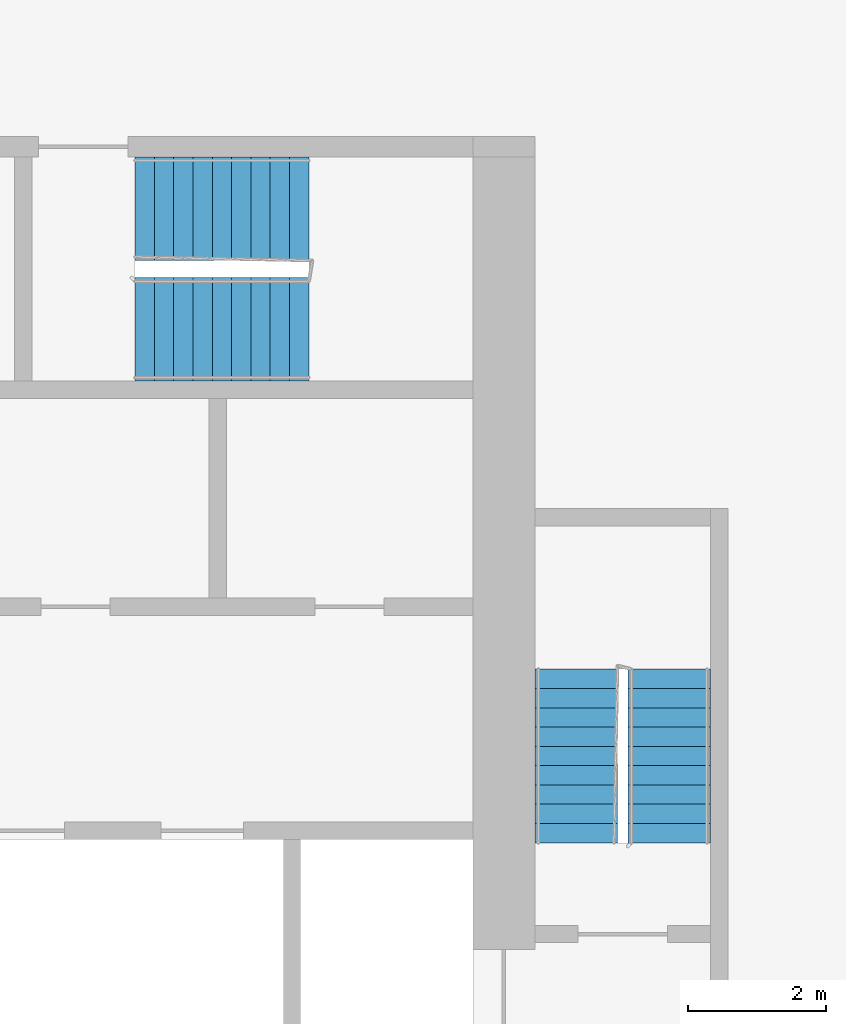
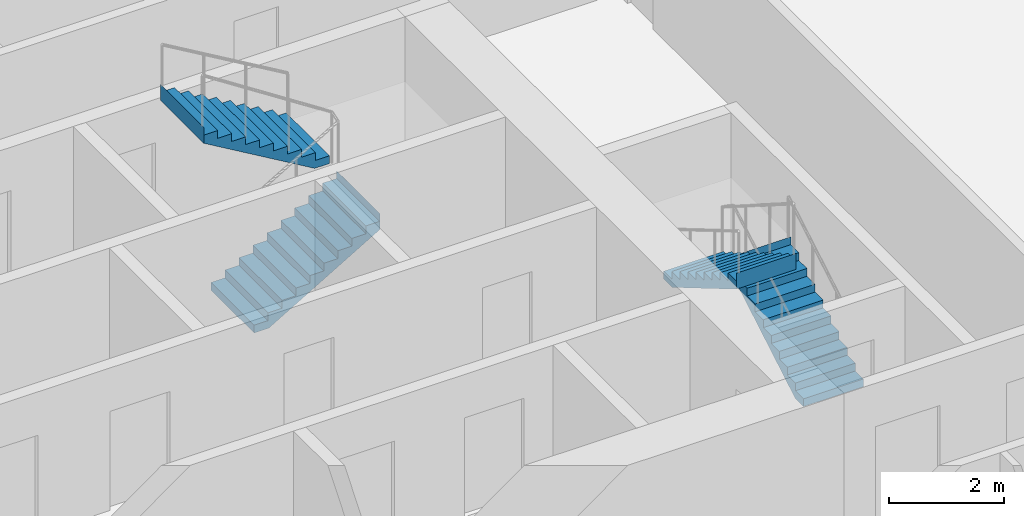
# One storey, part 10 of 12: 4 stair flights, 2 elements without a shape of their own.
"""IFC4 building model written with IfcOpenShell, lengths in metres."""

import ifcopenshell
import ifcopenshell.guid

model = None  # the IFC model being written
_history = None  # IfcOwnerHistory: only IFC2X3 demands one
_inside = {}  # id of a spatial element -> (the spatial element, [elements in it])
_under = {}  # id of a project, library or spatial element -> (it, [spatial elements below it])
_declared = {}  # id of a project -> (the project, [libraries it declares])
_typed = {}  # id of a type object -> (the type object, [elements of that type])
_made_of = {}  # id of a material, layer set ... -> (it, [elements and type objects made of it])


def new_model(schema):
    """Start an empty IFC model of exactly this schema.

    Asked for "IFC4X3", IfcOpenShell would pick the latest addendum, in which some entities
    have other attributes; the version numbers below select the first issue.
    IFC2X3 requires an IfcOwnerHistory on every rooted entity: one is made here for all.
    """
    global model, _history
    if schema == "IFC4X3":
        model = ifcopenshell.file(schema_version=(4, 3, 0, 0))
    else:
        model = ifcopenshell.file(schema=schema)
    _inside.clear()
    _under.clear()
    _declared.clear()
    _typed.clear()
    _made_of.clear()
    _history = None
    if model.schema == "IFC2X3":
        org = make("IfcOrganization", Name="unknown")
        user = make(
            "IfcPersonAndOrganization",
            ThePerson=make("IfcPerson", FamilyName="unknown"),
            TheOrganization=org,
        )
        app = make(
            "IfcApplication",
            ApplicationDeveloper=org,
            Version="unknown",
            ApplicationFullName="unknown",
            ApplicationIdentifier="unknown",
        )
        _history = make(
            "IfcOwnerHistory",
            OwningUser=user,
            OwningApplication=app,
            ChangeAction="ADDED",
            CreationDate=0,
        )
    return model


def make(cls, **values):
    """One entity of the class cls with the attributes given. An attribute that is None is left unset."""
    return model.create_entity(
        cls, **{name: value for name, value in values.items() if value is not None}
    )


def rooted(cls, **values):
    """An entity with a GlobalId (a new one), such as an element, a storey or a relation."""
    return make(cls, GlobalId=ifcopenshell.guid.new(), OwnerHistory=_history, **values)


def si_unit(unit_type, name, prefix=None):
    """IfcSIUnit, for example si_unit("LENGTHUNIT", "METRE", prefix="MILLI")."""
    return make("IfcSIUnit", UnitType=unit_type, Prefix=prefix, Name=name)


def assignment(units):
    """IfcUnitAssignment: the units of a project."""
    return None if units is None else make("IfcUnitAssignment", Units=units)


def point(xyz):
    """IfcCartesianPoint."""
    return None if xyz is None else make("IfcCartesianPoint", Coordinates=xyz)


def direction(xyz):
    """IfcDirection."""
    return None if xyz is None else make("IfcDirection", DirectionRatios=xyz)


def frame(location, z_axis=None, x_axis=None):
    """IfcAxis2Placement3D, a coordinate frame: its origin and axes. An axis left out is left unset."""
    return make(
        "IfcAxis2Placement3D",
        Location=point(location),
        Axis=direction(z_axis),
        RefDirection=direction(x_axis),
    )


def origin():
    """The frame at (0, 0, 0) with its axes left unset."""
    return frame((0.0, 0.0, 0.0))


def place(relative_to, where):
    """IfcLocalPlacement: puts the frame where relative to a parent placement (None: the world)."""
    return make(
        "IfcLocalPlacement", PlacementRelTo=relative_to, RelativePlacement=where
    )


def context(
    kind, dimensions, precision=None, world=None, true_north=None, identifier=None
):
    """IfcGeometricRepresentationContext, for example the 3D "Model" context."""
    return make(
        "IfcGeometricRepresentationContext",
        ContextIdentifier=identifier,
        ContextType=kind,
        CoordinateSpaceDimension=dimensions,
        Precision=precision,
        WorldCoordinateSystem=world,
        TrueNorth=true_north,
    )


def subcontext(parent, identifier, kind, view, scale=None):
    """IfcGeometricRepresentationSubContext, for example "Body" below "Model"."""
    return make(
        "IfcGeometricRepresentationSubContext",
        ContextIdentifier=identifier,
        ContextType=kind,
        ParentContext=parent,
        TargetScale=scale,
        TargetView=view,
    )


def project(units=None, contexts=None):
    """IfcProject with its units and contexts."""
    return rooted(
        "IfcProject",
        Name="project",
        RepresentationContexts=contexts,
        UnitsInContext=assignment(units),
    )


def spatial(cls, under=None, at=None, **own):
    """A site, building, storey or space (cls), placed at a placement, below another one or the project."""
    s = rooted(cls, ObjectPlacement=at, **own)
    if under is not None:
        _under.setdefault(under.id(), (under, []))[1].append(s)
    return s


def faces_of(points, faces, orient=None, outer=None):
    """IfcFace entities. A face is a list of loops; a loop is a list of indices into points, from 0.

    orient and outer hold one flag for each loop. By default every Orientation is true, the
    first loop of a face is its IfcFaceOuterBound and the others are IfcFaceBound.
    """
    made = []
    for i, loops in enumerate(faces):
        bounds = []
        for j, loop in enumerate(loops):
            is_outer = j == 0 if outer is None else outer[i][j]
            bounds.append(
                make(
                    "IfcFaceOuterBound" if is_outer else "IfcFaceBound",
                    Bound=make("IfcPolyLoop", Polygon=[points[k] for k in loop]),
                    Orientation=True if orient is None else orient[i][j],
                )
            )
        made.append(make("IfcFace", Bounds=bounds))
    return made


def faceted_brep(points, faces, orient=None, outer=None, voids=None):
    """IfcFacetedBrep: a solid bounded by flat faces; with voids (closed shells), ...WithVoids."""
    shared = [point(p) for p in points]
    hull = make("IfcClosedShell", CfsFaces=faces_of(shared, faces, orient, outer))
    if voids is None:
        return make("IfcFacetedBrep", Outer=hull)
    return make(
        "IfcFacetedBrepWithVoids",
        Outer=hull,
        Voids=[
            make(cls, CfsFaces=faces_of(shared, fs, o, b)) for cls, fs, o, b in voids
        ],
    )


def shape(context_of_items, identifier, shape_type, items):
    """IfcShapeRepresentation: the items that make up one representation, for example the "Body"."""
    return make(
        "IfcShapeRepresentation",
        ContextOfItems=context_of_items,
        RepresentationIdentifier=identifier,
        RepresentationType=shape_type,
        Items=items,
    )


def material(Name=None, Category=None):
    """IfcMaterial."""
    return make("IfcMaterial", Name=Name, Category=Category)


def made_of(thing, what):
    """Note that an element or type object is made of a material, layer set ...; save() writes the relation."""
    if what is not None:
        _made_of.setdefault(what.id(), (what, []))[1].append(thing)
    return thing


def type_object(cls, material=None, **own):
    """A type object (cls), such as IfcWallType, which elements share."""
    return made_of(rooted(cls, **own), material)


def element(
    cls,
    number,
    at=None,
    inside=None,
    cuts=None,
    type_object=None,
    material=None,
    context=None,
    identifier="Body",
    shape_type=None,
    held_by="IfcProductDefinitionShape",
    body=None,
    shapes=None,
    **own,
):
    """One element of the class cls, such as IfcWall. Its Tag is "e" and its number.

    at: its placement. inside: the storey or other place that contains it. cuts: it is an
    opening in that element (IfcRelVoidsElement). A single representation is given by context,
    identifier, shape_type and body (its items); several are given by shapes. held_by: the class
    of the entity that holds the representations. save() writes the other relations.
    """
    e = rooted(cls, Tag="e%d" % number, ObjectPlacement=at, **own)
    if body is not None:
        shapes = [shape(context, identifier, shape_type, body)]
    if shapes is not None:
        e.Representation = make(held_by, Representations=shapes)
    if inside is not None:
        _inside.setdefault(inside.id(), (inside, []))[1].append(e)
    if cuts is not None:
        rooted(
            "IfcRelVoidsElement", RelatingBuildingElement=cuts, RelatedOpeningElement=e
        )
    if type_object is not None:
        _typed.setdefault(type_object.id(), (type_object, []))[1].append(e)
    return made_of(e, material)


def aggregate(whole, parts):
    """IfcRelAggregates: a whole, such as a stair, and the parts it consists of."""
    return rooted("IfcRelAggregates", RelatingObject=whole, RelatedObjects=parts)


def save(model, path):
    """Write the relations noted so far, then the file.

    IfcRelAggregates (storeys below a building ...), IfcRelContainedInSpatialStructure (elements
    in a storey), IfcRelDefinesByType, IfcRelAssociatesMaterial and IfcRelDeclares: one each for
    every whole, place, type object, material and project.
    """
    for whole, parts in _under.values():
        aggregate(whole, parts)
    for where, things in _inside.values():
        rooted(
            "IfcRelContainedInSpatialStructure",
            RelatedElements=things,
            RelatingStructure=where,
        )
    for kind, things in _typed.values():
        rooted("IfcRelDefinesByType", RelatedObjects=things, RelatingType=kind)
    for what, things in _made_of.values():
        rooted("IfcRelAssociatesMaterial", RelatedObjects=things, RelatingMaterial=what)
    for by, libraries in _declared.values():
        rooted("IfcRelDeclares", RelatingContext=by, RelatedDefinitions=libraries)
    model.write(path)


model = new_model("IFC4")

# Units and contexts
model_context = context("Model", 3, precision=1e-05, world=origin(), true_north=direction((0.0, 1.0)))
body_context = subcontext(model_context, "Body", "Model", "MODEL_VIEW")
ifc_project = project(units=[si_unit("LENGTHUNIT", "METRE"), si_unit("AREAUNIT", "SQUARE_METRE"), si_unit("VOLUMEUNIT", "CUBIC_METRE"), si_unit("PLANEANGLEUNIT", "RADIAN"), si_unit("MASSUNIT", "GRAM", prefix="KILO")], contexts=[model_context])

# Site, building, storey
site_placement = place(None, origin())
site = spatial("IfcSite", under=ifc_project, at=site_placement, CompositionType="ELEMENT")
building_placement = place(site_placement, origin())
building = spatial("IfcBuilding", under=site, at=building_placement, Name="Kajstack Hotel Tower", CompositionType="ELEMENT")
storey_placement = place(building_placement, frame((0.0, 0.0, 247.39990234375)))
storey = spatial("IfcBuildingStorey", under=building, at=storey_placement, Name="L61", CompositionType="ELEMENT", Elevation=247.39990234375)

# Stair, stair flights
ifc_material = material(Name="Concrete C40/50", Category="concrete")
stair_type_1 = type_object("IfcStairType", Name="Exit stair 1200", PredefinedType="HALF_TURN_STAIR", material=ifc_material)
stair_1_placement = place(storey_placement, origin())
stair_1 = element("IfcStair", 1, at=stair_1_placement, inside=storey, type_object=stair_type_1, Name="L61 stair E1", PredefinedType="HALF_TURN_STAIR")
stair_flight_type_1 = type_object("IfcStairFlightType", Name="Exit stair flight 1200", PredefinedType="STRAIGHT", material=ifc_material)
stair_flight_1_placement = place(storey_placement, frame((33.449951171875, 5.25, 0.0), z_axis=(0.0, 0.0, 1.0), x_axis=(0.0, 1.0, 0.0)))
stair_flight_1 = element("IfcStairFlight", 2, at=stair_flight_1_placement, type_object=stair_flight_type_1, Name="E1 flight 1", NumberOfRisers=10, NumberOfTreads=9, PredefinedType="STRAIGHT", RiserHeight=0.165, TreadLength=0.28, context=body_context, shape_type="Brep", body=[
    faceted_brep([(0.295654296875, -0.60009765625, 0.0), (2.5205078125, -0.60009765625, 1.31103515625), (2.5205078125, -0.60009765625, 1.64990234375), (2.52001953125, -0.60009765625, 1.64990234375), (2.52001953125, -0.60009765625, 1.485107421875), (2.239990234375, -0.60009765625, 1.485107421875), (2.239990234375, -0.60009765625, 1.320068359375), (1.9599609375, -0.60009765625, 1.320068359375), (1.9599609375, -0.60009765625, 1.155029296875), (1.679931640625, -0.60009765625, 1.155029296875), (1.679931640625, -0.60009765625, 0.989990234375), (1.39990234375, -0.60009765625, 0.989990234375), (1.39990234375, -0.60009765625, 0.824951171875), (1.1201171875, -0.60009765625, 0.824951171875), (1.1201171875, -0.60009765625, 0.659912109375), (0.840087890625, -0.60009765625, 0.659912109375), (0.840087890625, -0.60009765625, 0.4951171875), (0.56005859375, -0.60009765625, 0.4951171875), (0.56005859375, -0.60009765625, 0.330078125), (0.280029296875, -0.60009765625, 0.330078125), (0.280029296875, -0.60009765625, 0.1650390625), (-0.00048828125, -0.60009765625, 0.1650390625), (-0.00048828125, -0.60009765625, 0.0), (-0.00048828125, 0.60009765625, 0.0), (-0.00048828125, 0.60009765625, 0.1650390625), (0.280029296875, 0.60009765625, 0.1650390625), (0.280029296875, 0.60009765625, 0.330078125), (0.56005859375, 0.60009765625, 0.330078125), (0.56005859375, 0.60009765625, 0.4951171875), (0.840087890625, 0.60009765625, 0.4951171875), (0.840087890625, 0.60009765625, 0.659912109375), (1.1201171875, 0.60009765625, 0.659912109375), (1.1201171875, 0.60009765625, 0.824951171875), (1.39990234375, 0.60009765625, 0.824951171875), (1.39990234375, 0.60009765625, 0.989990234375), (1.679931640625, 0.60009765625, 0.989990234375), (1.679931640625, 0.60009765625, 1.155029296875), (1.9599609375, 0.60009765625, 1.155029296875), (1.9599609375, 0.60009765625, 1.320068359375), (2.239990234375, 0.60009765625, 1.320068359375), (2.239990234375, 0.60009765625, 1.485107421875), (2.52001953125, 0.60009765625, 1.485107421875), (2.52001953125, 0.60009765625, 1.64990234375), (2.5205078125, 0.60009765625, 1.64990234375), (2.5205078125, 0.60009765625, 1.31103515625), (0.295654296875, 0.60009765625, 0.0), (-0.00048828125, -0.300048828125, 0.1650390625), (-0.00048828125, 0.0, 0.1650390625), (-0.00048828125, 0.300048828125, 0.1650390625), (-0.00048828125, 0.300048828125, 0.0), (-0.00048828125, 0.0, 0.0), (-0.00048828125, -0.300048828125, 0.0), (0.280029296875, -0.300048828125, 0.1650390625), (0.280029296875, 0.0, 0.1650390625), (0.280029296875, 0.300048828125, 0.1650390625), (0.280029296875, -0.300048828125, 0.330078125), (0.280029296875, 0.0, 0.330078125), (0.280029296875, 0.300048828125, 0.330078125), (0.56005859375, -0.300048828125, 0.330078125), (0.56005859375, 0.0, 0.330078125), (0.56005859375, 0.300048828125, 0.330078125), (0.56005859375, -0.300048828125, 0.4951171875), (0.56005859375, 0.0, 0.4951171875), (0.56005859375, 0.300048828125, 0.4951171875), (0.840087890625, -0.300048828125, 0.4951171875), (0.840087890625, 0.0, 0.4951171875), (0.840087890625, 0.300048828125, 0.4951171875), (0.840087890625, -0.300048828125, 0.659912109375), (0.840087890625, 0.0, 0.659912109375), (0.840087890625, 0.300048828125, 0.659912109375), (1.1201171875, -0.300048828125, 0.659912109375), (1.1201171875, 0.0, 0.659912109375), (1.1201171875, 0.300048828125, 0.659912109375), (1.1201171875, -0.300048828125, 0.824951171875), (1.1201171875, 0.0, 0.824951171875), (1.1201171875, 0.300048828125, 0.824951171875), (1.39990234375, -0.300048828125, 0.824951171875), (1.39990234375, 0.0, 0.824951171875), (1.39990234375, 0.300048828125, 0.824951171875), (1.39990234375, -0.300048828125, 0.989990234375), (1.39990234375, 0.0, 0.989990234375), (1.39990234375, 0.300048828125, 0.989990234375), (1.679931640625, -0.300048828125, 0.989990234375), (1.679931640625, 0.0, 0.989990234375), (1.679931640625, 0.300048828125, 0.989990234375), (1.679931640625, -0.300048828125, 1.155029296875), (1.679931640625, 0.0, 1.155029296875), (1.679931640625, 0.300048828125, 1.155029296875), (1.9599609375, -0.300048828125, 1.155029296875), (1.9599609375, 0.0, 1.155029296875), (1.9599609375, 0.300048828125, 1.155029296875), (1.9599609375, -0.300048828125, 1.320068359375), (1.9599609375, 0.0, 1.320068359375), (1.9599609375, 0.300048828125, 1.320068359375), (2.239990234375, -0.300048828125, 1.320068359375), (2.239990234375, 0.0, 1.320068359375), (2.239990234375, 0.300048828125, 1.320068359375), (2.239990234375, -0.300048828125, 1.485107421875), (2.239990234375, 0.0, 1.485107421875), (2.239990234375, 0.300048828125, 1.485107421875), (2.52001953125, -0.300048828125, 1.485107421875), (2.52001953125, 0.0, 1.485107421875), (2.52001953125, 0.300048828125, 1.485107421875), (2.52001953125, -0.300048828125, 1.64990234375), (2.52001953125, 0.0, 1.64990234375), (2.52001953125, 0.300048828125, 1.64990234375), (2.5205078125, -0.300048828125, 1.64990234375), (2.5205078125, 0.0, 1.64990234375), (2.5205078125, 0.300048828125, 1.64990234375), (2.5205078125, -0.300048828125, 1.31103515625), (2.5205078125, 0.0, 1.31103515625), (2.5205078125, 0.300048828125, 1.31103515625), (0.295654296875, -0.300048828125, 0.0), (0.295654296875, 0.0, 0.0), (0.295654296875, 0.300048828125, 0.0)], [[[0, 1, 2, 3, 4, 5, 6, 7, 8, 9, 10, 11, 12, 13, 14, 15, 16, 17, 18, 19, 20, 21, 22]], [[23, 24, 25, 26, 27, 28, 29, 30, 31, 32, 33, 34, 35, 36, 37, 38, 39, 40, 41, 42, 43, 44, 45]], [[21, 46, 47, 48, 24, 23, 49, 50, 51, 22]], [[20, 52, 53, 54, 25, 24, 48, 47, 46, 21]], [[19, 55, 56, 57, 26, 25, 54, 53, 52, 20]], [[18, 58, 59, 60, 27, 26, 57, 56, 55, 19]], [[17, 61, 62, 63, 28, 27, 60, 59, 58, 18]], [[16, 64, 65, 66, 29, 28, 63, 62, 61, 17]], [[15, 67, 68, 69, 30, 29, 66, 65, 64, 16]], [[14, 70, 71, 72, 31, 30, 69, 68, 67, 15]], [[13, 73, 74, 75, 32, 31, 72, 71, 70, 14]], [[12, 76, 77, 78, 33, 32, 75, 74, 73, 13]], [[11, 79, 80, 81, 34, 33, 78, 77, 76, 12]], [[10, 82, 83, 84, 35, 34, 81, 80, 79, 11]], [[9, 85, 86, 87, 36, 35, 84, 83, 82, 10]], [[8, 88, 89, 90, 37, 36, 87, 86, 85, 9]], [[7, 91, 92, 93, 38, 37, 90, 89, 88, 8]], [[6, 94, 95, 96, 39, 38, 93, 92, 91, 7]], [[5, 97, 98, 99, 40, 39, 96, 95, 94, 6]], [[4, 100, 101, 102, 41, 40, 99, 98, 97, 5]], [[3, 103, 104, 105, 42, 41, 102, 101, 100, 4]], [[2, 106, 107, 108, 43, 42, 105, 104, 103, 3]], [[1, 109, 110, 111, 44, 43, 108, 107, 106, 2]], [[0, 112, 113, 114, 45, 44, 111, 110, 109, 1]], [[22, 51, 50, 49, 23, 45, 114, 113, 112, 0]]]),
])
stair_flight_2_placement = place(storey_placement, frame((32.10009765625, 7.77001953125, 1.650146484375), z_axis=(0.0, 0.0, 1.0), x_axis=(0.0, -1.0, 0.0)))
stair_flight_2 = element("IfcStairFlight", 3, at=stair_flight_2_placement, type_object=stair_flight_type_1, Name="E1 flight 2", NumberOfRisers=10, NumberOfTreads=9, PredefinedType="STRAIGHT", RiserHeight=0.165, TreadLength=0.28, context=body_context, shape_type="Brep", body=[
    faceted_brep([(0.295654296875, -0.60009765625, 0.0), (2.5205078125, -0.60009765625, 1.31103515625), (2.5205078125, -0.60009765625, 1.64990234375), (2.52001953125, -0.60009765625, 1.64990234375), (2.52001953125, -0.60009765625, 1.485107421875), (2.239990234375, -0.60009765625, 1.485107421875), (2.239990234375, -0.60009765625, 1.320068359375), (1.9599609375, -0.60009765625, 1.320068359375), (1.9599609375, -0.60009765625, 1.155029296875), (1.679931640625, -0.60009765625, 1.155029296875), (1.679931640625, -0.60009765625, 0.989990234375), (1.39990234375, -0.60009765625, 0.989990234375), (1.39990234375, -0.60009765625, 0.824951171875), (1.1201171875, -0.60009765625, 0.824951171875), (1.1201171875, -0.60009765625, 0.659912109375), (0.840087890625, -0.60009765625, 0.659912109375), (0.840087890625, -0.60009765625, 0.4951171875), (0.56005859375, -0.60009765625, 0.4951171875), (0.56005859375, -0.60009765625, 0.330078125), (0.280029296875, -0.60009765625, 0.330078125), (0.280029296875, -0.60009765625, 0.1650390625), (-0.00048828125, -0.60009765625, 0.1650390625), (-0.00048828125, -0.60009765625, 0.0), (-0.00048828125, 0.60009765625, 0.0), (-0.00048828125, 0.60009765625, 0.1650390625), (0.280029296875, 0.60009765625, 0.1650390625), (0.280029296875, 0.60009765625, 0.330078125), (0.56005859375, 0.60009765625, 0.330078125), (0.56005859375, 0.60009765625, 0.4951171875), (0.840087890625, 0.60009765625, 0.4951171875), (0.840087890625, 0.60009765625, 0.659912109375), (1.1201171875, 0.60009765625, 0.659912109375), (1.1201171875, 0.60009765625, 0.824951171875), (1.39990234375, 0.60009765625, 0.824951171875), (1.39990234375, 0.60009765625, 0.989990234375), (1.679931640625, 0.60009765625, 0.989990234375), (1.679931640625, 0.60009765625, 1.155029296875), (1.9599609375, 0.60009765625, 1.155029296875), (1.9599609375, 0.60009765625, 1.320068359375), (2.239990234375, 0.60009765625, 1.320068359375), (2.239990234375, 0.60009765625, 1.485107421875), (2.52001953125, 0.60009765625, 1.485107421875), (2.52001953125, 0.60009765625, 1.64990234375), (2.5205078125, 0.60009765625, 1.64990234375), (2.5205078125, 0.60009765625, 1.31103515625), (0.295654296875, 0.60009765625, 0.0), (-0.00048828125, -0.300048828125, 0.1650390625), (-0.00048828125, 0.0, 0.1650390625), (-0.00048828125, 0.300048828125, 0.1650390625), (-0.00048828125, 0.300048828125, 0.0), (-0.00048828125, 0.0, 0.0), (-0.00048828125, -0.300048828125, 0.0), (0.280029296875, -0.300048828125, 0.1650390625), (0.280029296875, 0.0, 0.1650390625), (0.280029296875, 0.300048828125, 0.1650390625), (0.280029296875, -0.300048828125, 0.330078125), (0.280029296875, 0.0, 0.330078125), (0.280029296875, 0.300048828125, 0.330078125), (0.56005859375, -0.300048828125, 0.330078125), (0.56005859375, 0.0, 0.330078125), (0.56005859375, 0.300048828125, 0.330078125), (0.56005859375, -0.300048828125, 0.4951171875), (0.56005859375, 0.0, 0.4951171875), (0.56005859375, 0.300048828125, 0.4951171875), (0.840087890625, -0.300048828125, 0.4951171875), (0.840087890625, 0.0, 0.4951171875), (0.840087890625, 0.300048828125, 0.4951171875), (0.840087890625, -0.300048828125, 0.659912109375), (0.840087890625, 0.0, 0.659912109375), (0.840087890625, 0.300048828125, 0.659912109375), (1.1201171875, -0.300048828125, 0.659912109375), (1.1201171875, 0.0, 0.659912109375), (1.1201171875, 0.300048828125, 0.659912109375), (1.1201171875, -0.300048828125, 0.824951171875), (1.1201171875, 0.0, 0.824951171875), (1.1201171875, 0.300048828125, 0.824951171875), (1.39990234375, -0.300048828125, 0.824951171875), (1.39990234375, 0.0, 0.824951171875), (1.39990234375, 0.300048828125, 0.824951171875), (1.39990234375, -0.300048828125, 0.989990234375), (1.39990234375, 0.0, 0.989990234375), (1.39990234375, 0.300048828125, 0.989990234375), (1.679931640625, -0.300048828125, 0.989990234375), (1.679931640625, 0.0, 0.989990234375), (1.679931640625, 0.300048828125, 0.989990234375), (1.679931640625, -0.300048828125, 1.155029296875), (1.679931640625, 0.0, 1.155029296875), (1.679931640625, 0.300048828125, 1.155029296875), (1.9599609375, -0.300048828125, 1.155029296875), (1.9599609375, 0.0, 1.155029296875), (1.9599609375, 0.300048828125, 1.155029296875), (1.9599609375, -0.300048828125, 1.320068359375), (1.9599609375, 0.0, 1.320068359375), (1.9599609375, 0.300048828125, 1.320068359375), (2.239990234375, -0.300048828125, 1.320068359375), (2.239990234375, 0.0, 1.320068359375), (2.239990234375, 0.300048828125, 1.320068359375), (2.239990234375, -0.300048828125, 1.485107421875), (2.239990234375, 0.0, 1.485107421875), (2.239990234375, 0.300048828125, 1.485107421875), (2.52001953125, -0.300048828125, 1.485107421875), (2.52001953125, 0.0, 1.485107421875), (2.52001953125, 0.300048828125, 1.485107421875), (2.52001953125, -0.300048828125, 1.64990234375), (2.52001953125, 0.0, 1.64990234375), (2.52001953125, 0.300048828125, 1.64990234375), (2.5205078125, -0.300048828125, 1.64990234375), (2.5205078125, 0.0, 1.64990234375), (2.5205078125, 0.300048828125, 1.64990234375), (2.5205078125, -0.300048828125, 1.31103515625), (2.5205078125, 0.0, 1.31103515625), (2.5205078125, 0.300048828125, 1.31103515625), (0.295654296875, -0.300048828125, 0.0), (0.295654296875, 0.0, 0.0), (0.295654296875, 0.300048828125, 0.0)], [[[0, 1, 2, 3, 4, 5, 6, 7, 8, 9, 10, 11, 12, 13, 14, 15, 16, 17, 18, 19, 20, 21, 22]], [[23, 24, 25, 26, 27, 28, 29, 30, 31, 32, 33, 34, 35, 36, 37, 38, 39, 40, 41, 42, 43, 44, 45]], [[21, 46, 47, 48, 24, 23, 49, 50, 51, 22]], [[20, 52, 53, 54, 25, 24, 48, 47, 46, 21]], [[19, 55, 56, 57, 26, 25, 54, 53, 52, 20]], [[18, 58, 59, 60, 27, 26, 57, 56, 55, 19]], [[17, 61, 62, 63, 28, 27, 60, 59, 58, 18]], [[16, 64, 65, 66, 29, 28, 63, 62, 61, 17]], [[15, 67, 68, 69, 30, 29, 66, 65, 64, 16]], [[14, 70, 71, 72, 31, 30, 69, 68, 67, 15]], [[13, 73, 74, 75, 32, 31, 72, 71, 70, 14]], [[12, 76, 77, 78, 33, 32, 75, 74, 73, 13]], [[11, 79, 80, 81, 34, 33, 78, 77, 76, 12]], [[10, 82, 83, 84, 35, 34, 81, 80, 79, 11]], [[9, 85, 86, 87, 36, 35, 84, 83, 82, 10]], [[8, 88, 89, 90, 37, 36, 87, 86, 85, 9]], [[7, 91, 92, 93, 38, 37, 90, 89, 88, 8]], [[6, 94, 95, 96, 39, 38, 93, 92, 91, 7]], [[5, 97, 98, 99, 40, 39, 96, 95, 94, 6]], [[4, 100, 101, 102, 41, 40, 99, 98, 97, 5]], [[3, 103, 104, 105, 42, 41, 102, 101, 100, 4]], [[2, 106, 107, 108, 43, 42, 105, 104, 103, 3]], [[1, 109, 110, 111, 44, 43, 108, 107, 106, 2]], [[0, 112, 113, 114, 45, 44, 111, 110, 109, 1]], [[22, 51, 50, 49, 23, 45, 114, 113, 112, 0]]]),
])
aggregate(stair_1, [stair_flight_1, stair_flight_2])

stair_type_2 = type_object("IfcStairType", Name="Exit stair 1500", PredefinedType="HALF_TURN_STAIR", material=ifc_material)
stair_2_placement = place(storey_placement, origin())
stair_2 = element("IfcStair", 4, at=stair_2_placement, inside=storey, type_object=stair_type_2, Name="L61 stair E3", PredefinedType="HALF_TURN_STAIR")
stair_flight_type_2 = type_object("IfcStairFlightType", Name="Exit stair flight 1500", PredefinedType="STRAIGHT", material=ifc_material)
stair_flight_3_placement = place(storey_placement, frame((25.699951171875, 12.699951171875, 0.0), z_axis=(0.0, 0.0, 1.0), x_axis=(1.0, 0.0, 0.0)))
stair_flight_3 = element("IfcStairFlight", 5, at=stair_flight_3_placement, type_object=stair_flight_type_2, Name="E3 flight 1", NumberOfRisers=10, NumberOfTreads=9, PredefinedType="STRAIGHT", RiserHeight=0.165, TreadLength=0.28, context=body_context, shape_type="Brep", body=[
    faceted_brep([(0.295654296875, -0.75, 0.0), (2.5205078125, -0.75, 1.31103515625), (2.5205078125, -0.75, 1.64990234375), (2.52001953125, -0.75, 1.64990234375), (2.52001953125, -0.75, 1.485107421875), (2.239990234375, -0.75, 1.485107421875), (2.239990234375, -0.75, 1.320068359375), (1.9599609375, -0.75, 1.320068359375), (1.9599609375, -0.75, 1.155029296875), (1.679931640625, -0.75, 1.155029296875), (1.679931640625, -0.75, 0.989990234375), (1.39990234375, -0.75, 0.989990234375), (1.39990234375, -0.75, 0.824951171875), (1.1201171875, -0.75, 0.824951171875), (1.1201171875, -0.75, 0.659912109375), (0.840087890625, -0.75, 0.659912109375), (0.840087890625, -0.75, 0.4951171875), (0.56005859375, -0.75, 0.4951171875), (0.56005859375, -0.75, 0.330078125), (0.280029296875, -0.75, 0.330078125), (0.280029296875, -0.75, 0.1650390625), (-0.00048828125, -0.75, 0.1650390625), (-0.00048828125, -0.75, 0.0), (-0.00048828125, 0.75, 0.0), (-0.00048828125, 0.75, 0.1650390625), (0.280029296875, 0.75, 0.1650390625), (0.280029296875, 0.75, 0.330078125), (0.56005859375, 0.75, 0.330078125), (0.56005859375, 0.75, 0.4951171875), (0.840087890625, 0.75, 0.4951171875), (0.840087890625, 0.75, 0.659912109375), (1.1201171875, 0.75, 0.659912109375), (1.1201171875, 0.75, 0.824951171875), (1.39990234375, 0.75, 0.824951171875), (1.39990234375, 0.75, 0.989990234375), (1.679931640625, 0.75, 0.989990234375), (1.679931640625, 0.75, 1.155029296875), (1.9599609375, 0.75, 1.155029296875), (1.9599609375, 0.75, 1.320068359375), (2.239990234375, 0.75, 1.320068359375), (2.239990234375, 0.75, 1.485107421875), (2.52001953125, 0.75, 1.485107421875), (2.52001953125, 0.75, 1.64990234375), (2.5205078125, 0.75, 1.64990234375), (2.5205078125, 0.75, 1.31103515625), (0.295654296875, 0.75, 0.0), (-0.00048828125, -0.375, 0.1650390625), (-0.00048828125, 0.0, 0.1650390625), (-0.00048828125, 0.375, 0.1650390625), (-0.00048828125, 0.375, 0.0), (-0.00048828125, 0.0, 0.0), (-0.00048828125, -0.375, 0.0), (0.280029296875, -0.375, 0.1650390625), (0.280029296875, 0.0, 0.1650390625), (0.280029296875, 0.375, 0.1650390625), (0.280029296875, -0.375, 0.330078125), (0.280029296875, 0.0, 0.330078125), (0.280029296875, 0.375, 0.330078125), (0.56005859375, -0.375, 0.330078125), (0.56005859375, 0.0, 0.330078125), (0.56005859375, 0.375, 0.330078125), (0.56005859375, -0.375, 0.4951171875), (0.56005859375, 0.0, 0.4951171875), (0.56005859375, 0.375, 0.4951171875), (0.840087890625, -0.375, 0.4951171875), (0.840087890625, 0.0, 0.4951171875), (0.840087890625, 0.375, 0.4951171875), (0.840087890625, -0.375, 0.659912109375), (0.840087890625, 0.0, 0.659912109375), (0.840087890625, 0.375, 0.659912109375), (1.1201171875, -0.375, 0.659912109375), (1.1201171875, 0.0, 0.659912109375), (1.1201171875, 0.375, 0.659912109375), (1.1201171875, -0.375, 0.824951171875), (1.1201171875, 0.0, 0.824951171875), (1.1201171875, 0.375, 0.824951171875), (1.39990234375, -0.375, 0.824951171875), (1.39990234375, 0.0, 0.824951171875), (1.39990234375, 0.375, 0.824951171875), (1.39990234375, -0.375, 0.989990234375), (1.39990234375, 0.0, 0.989990234375), (1.39990234375, 0.375, 0.989990234375), (1.679931640625, -0.375, 0.989990234375), (1.679931640625, 0.0, 0.989990234375), (1.679931640625, 0.375, 0.989990234375), (1.679931640625, -0.375, 1.155029296875), (1.679931640625, 0.0, 1.155029296875), (1.679931640625, 0.375, 1.155029296875), (1.9599609375, -0.375, 1.155029296875), (1.9599609375, 0.0, 1.155029296875), (1.9599609375, 0.375, 1.155029296875), (1.9599609375, -0.375, 1.320068359375), (1.9599609375, 0.0, 1.320068359375), (1.9599609375, 0.375, 1.320068359375), (2.239990234375, -0.375, 1.320068359375), (2.239990234375, 0.0, 1.320068359375), (2.239990234375, 0.375, 1.320068359375), (2.239990234375, -0.375, 1.485107421875), (2.239990234375, 0.0, 1.485107421875), (2.239990234375, 0.375, 1.485107421875), (2.52001953125, -0.375, 1.485107421875), (2.52001953125, 0.0, 1.485107421875), (2.52001953125, 0.375, 1.485107421875), (2.52001953125, -0.375, 1.64990234375), (2.52001953125, 0.0, 1.64990234375), (2.52001953125, 0.375, 1.64990234375), (2.5205078125, -0.375, 1.64990234375), (2.5205078125, 0.0, 1.64990234375), (2.5205078125, 0.375, 1.64990234375), (2.5205078125, -0.375, 1.31103515625), (2.5205078125, 0.0, 1.31103515625), (2.5205078125, 0.375, 1.31103515625), (0.295654296875, -0.375, 0.0), (0.295654296875, 0.0, 0.0), (0.295654296875, 0.375, 0.0)], [[[0, 1, 2, 3, 4, 5, 6, 7, 8, 9, 10, 11, 12, 13, 14, 15, 16, 17, 18, 19, 20, 21, 22]], [[23, 24, 25, 26, 27, 28, 29, 30, 31, 32, 33, 34, 35, 36, 37, 38, 39, 40, 41, 42, 43, 44, 45]], [[21, 46, 47, 48, 24, 23, 49, 50, 51, 22]], [[20, 52, 53, 54, 25, 24, 48, 47, 46, 21]], [[19, 55, 56, 57, 26, 25, 54, 53, 52, 20]], [[18, 58, 59, 60, 27, 26, 57, 56, 55, 19]], [[17, 61, 62, 63, 28, 27, 60, 59, 58, 18]], [[16, 64, 65, 66, 29, 28, 63, 62, 61, 17]], [[15, 67, 68, 69, 30, 29, 66, 65, 64, 16]], [[14, 70, 71, 72, 31, 30, 69, 68, 67, 15]], [[13, 73, 74, 75, 32, 31, 72, 71, 70, 14]], [[12, 76, 77, 78, 33, 32, 75, 74, 73, 13]], [[11, 79, 80, 81, 34, 33, 78, 77, 76, 12]], [[10, 82, 83, 84, 35, 34, 81, 80, 79, 11]], [[9, 85, 86, 87, 36, 35, 84, 83, 82, 10]], [[8, 88, 89, 90, 37, 36, 87, 86, 85, 9]], [[7, 91, 92, 93, 38, 37, 90, 89, 88, 8]], [[6, 94, 95, 96, 39, 38, 93, 92, 91, 7]], [[5, 97, 98, 99, 40, 39, 96, 95, 94, 6]], [[4, 100, 101, 102, 41, 40, 99, 98, 97, 5]], [[3, 103, 104, 105, 42, 41, 102, 101, 100, 4]], [[2, 106, 107, 108, 43, 42, 105, 104, 103, 3]], [[1, 109, 110, 111, 44, 43, 108, 107, 106, 2]], [[0, 112, 113, 114, 45, 44, 111, 110, 109, 1]], [[22, 51, 50, 49, 23, 45, 114, 113, 112, 0]]]),
])
stair_flight_4_placement = place(storey_placement, frame((28.219970703125, 14.449951171875, 1.650146484375), z_axis=(0.0, 0.0, 1.0), x_axis=(-1.0, 0.0, 0.0)))
stair_flight_4 = element("IfcStairFlight", 6, at=stair_flight_4_placement, type_object=stair_flight_type_2, Name="E3 flight 2", NumberOfRisers=10, NumberOfTreads=9, PredefinedType="STRAIGHT", RiserHeight=0.165, TreadLength=0.28, context=body_context, shape_type="Brep", body=[
    faceted_brep([(0.295654296875, -0.75, 0.0), (2.5205078125, -0.75, 1.31103515625), (2.5205078125, -0.75, 1.64990234375), (2.52001953125, -0.75, 1.64990234375), (2.52001953125, -0.75, 1.485107421875), (2.239990234375, -0.75, 1.485107421875), (2.239990234375, -0.75, 1.320068359375), (1.9599609375, -0.75, 1.320068359375), (1.9599609375, -0.75, 1.155029296875), (1.679931640625, -0.75, 1.155029296875), (1.679931640625, -0.75, 0.989990234375), (1.39990234375, -0.75, 0.989990234375), (1.39990234375, -0.75, 0.824951171875), (1.1201171875, -0.75, 0.824951171875), (1.1201171875, -0.75, 0.659912109375), (0.840087890625, -0.75, 0.659912109375), (0.840087890625, -0.75, 0.4951171875), (0.56005859375, -0.75, 0.4951171875), (0.56005859375, -0.75, 0.330078125), (0.280029296875, -0.75, 0.330078125), (0.280029296875, -0.75, 0.1650390625), (-0.00048828125, -0.75, 0.1650390625), (-0.00048828125, -0.75, 0.0), (-0.00048828125, 0.75, 0.0), (-0.00048828125, 0.75, 0.1650390625), (0.280029296875, 0.75, 0.1650390625), (0.280029296875, 0.75, 0.330078125), (0.56005859375, 0.75, 0.330078125), (0.56005859375, 0.75, 0.4951171875), (0.840087890625, 0.75, 0.4951171875), (0.840087890625, 0.75, 0.659912109375), (1.1201171875, 0.75, 0.659912109375), (1.1201171875, 0.75, 0.824951171875), (1.39990234375, 0.75, 0.824951171875), (1.39990234375, 0.75, 0.989990234375), (1.679931640625, 0.75, 0.989990234375), (1.679931640625, 0.75, 1.155029296875), (1.9599609375, 0.75, 1.155029296875), (1.9599609375, 0.75, 1.320068359375), (2.239990234375, 0.75, 1.320068359375), (2.239990234375, 0.75, 1.485107421875), (2.52001953125, 0.75, 1.485107421875), (2.52001953125, 0.75, 1.64990234375), (2.5205078125, 0.75, 1.64990234375), (2.5205078125, 0.75, 1.31103515625), (0.295654296875, 0.75, 0.0), (-0.00048828125, -0.375, 0.1650390625), (-0.00048828125, 0.0, 0.1650390625), (-0.00048828125, 0.375, 0.1650390625), (-0.00048828125, 0.375, 0.0), (-0.00048828125, 0.0, 0.0), (-0.00048828125, -0.375, 0.0), (0.280029296875, -0.375, 0.1650390625), (0.280029296875, 0.0, 0.1650390625), (0.280029296875, 0.375, 0.1650390625), (0.280029296875, -0.375, 0.330078125), (0.280029296875, 0.0, 0.330078125), (0.280029296875, 0.375, 0.330078125), (0.56005859375, -0.375, 0.330078125), (0.56005859375, 0.0, 0.330078125), (0.56005859375, 0.375, 0.330078125), (0.56005859375, -0.375, 0.4951171875), (0.56005859375, 0.0, 0.4951171875), (0.56005859375, 0.375, 0.4951171875), (0.840087890625, -0.375, 0.4951171875), (0.840087890625, 0.0, 0.4951171875), (0.840087890625, 0.375, 0.4951171875), (0.840087890625, -0.375, 0.659912109375), (0.840087890625, 0.0, 0.659912109375), (0.840087890625, 0.375, 0.659912109375), (1.1201171875, -0.375, 0.659912109375), (1.1201171875, 0.0, 0.659912109375), (1.1201171875, 0.375, 0.659912109375), (1.1201171875, -0.375, 0.824951171875), (1.1201171875, 0.0, 0.824951171875), (1.1201171875, 0.375, 0.824951171875), (1.39990234375, -0.375, 0.824951171875), (1.39990234375, 0.0, 0.824951171875), (1.39990234375, 0.375, 0.824951171875), (1.39990234375, -0.375, 0.989990234375), (1.39990234375, 0.0, 0.989990234375), (1.39990234375, 0.375, 0.989990234375), (1.679931640625, -0.375, 0.989990234375), (1.679931640625, 0.0, 0.989990234375), (1.679931640625, 0.375, 0.989990234375), (1.679931640625, -0.375, 1.155029296875), (1.679931640625, 0.0, 1.155029296875), (1.679931640625, 0.375, 1.155029296875), (1.9599609375, -0.375, 1.155029296875), (1.9599609375, 0.0, 1.155029296875), (1.9599609375, 0.375, 1.155029296875), (1.9599609375, -0.375, 1.320068359375), (1.9599609375, 0.0, 1.320068359375), (1.9599609375, 0.375, 1.320068359375), (2.239990234375, -0.375, 1.320068359375), (2.239990234375, 0.0, 1.320068359375), (2.239990234375, 0.375, 1.320068359375), (2.239990234375, -0.375, 1.485107421875), (2.239990234375, 0.0, 1.485107421875), (2.239990234375, 0.375, 1.485107421875), (2.52001953125, -0.375, 1.485107421875), (2.52001953125, 0.0, 1.485107421875), (2.52001953125, 0.375, 1.485107421875), (2.52001953125, -0.375, 1.64990234375), (2.52001953125, 0.0, 1.64990234375), (2.52001953125, 0.375, 1.64990234375), (2.5205078125, -0.375, 1.64990234375), (2.5205078125, 0.0, 1.64990234375), (2.5205078125, 0.375, 1.64990234375), (2.5205078125, -0.375, 1.31103515625), (2.5205078125, 0.0, 1.31103515625), (2.5205078125, 0.375, 1.31103515625), (0.295654296875, -0.375, 0.0), (0.295654296875, 0.0, 0.0), (0.295654296875, 0.375, 0.0)], [[[0, 1, 2, 3, 4, 5, 6, 7, 8, 9, 10, 11, 12, 13, 14, 15, 16, 17, 18, 19, 20, 21, 22]], [[23, 24, 25, 26, 27, 28, 29, 30, 31, 32, 33, 34, 35, 36, 37, 38, 39, 40, 41, 42, 43, 44, 45]], [[21, 46, 47, 48, 24, 23, 49, 50, 51, 22]], [[20, 52, 53, 54, 25, 24, 48, 47, 46, 21]], [[19, 55, 56, 57, 26, 25, 54, 53, 52, 20]], [[18, 58, 59, 60, 27, 26, 57, 56, 55, 19]], [[17, 61, 62, 63, 28, 27, 60, 59, 58, 18]], [[16, 64, 65, 66, 29, 28, 63, 62, 61, 17]], [[15, 67, 68, 69, 30, 29, 66, 65, 64, 16]], [[14, 70, 71, 72, 31, 30, 69, 68, 67, 15]], [[13, 73, 74, 75, 32, 31, 72, 71, 70, 14]], [[12, 76, 77, 78, 33, 32, 75, 74, 73, 13]], [[11, 79, 80, 81, 34, 33, 78, 77, 76, 12]], [[10, 82, 83, 84, 35, 34, 81, 80, 79, 11]], [[9, 85, 86, 87, 36, 35, 84, 83, 82, 10]], [[8, 88, 89, 90, 37, 36, 87, 86, 85, 9]], [[7, 91, 92, 93, 38, 37, 90, 89, 88, 8]], [[6, 94, 95, 96, 39, 38, 93, 92, 91, 7]], [[5, 97, 98, 99, 40, 39, 96, 95, 94, 6]], [[4, 100, 101, 102, 41, 40, 99, 98, 97, 5]], [[3, 103, 104, 105, 42, 41, 102, 101, 100, 4]], [[2, 106, 107, 108, 43, 42, 105, 104, 103, 3]], [[1, 109, 110, 111, 44, 43, 108, 107, 106, 2]], [[0, 112, 113, 114, 45, 44, 111, 110, 109, 1]], [[22, 51, 50, 49, 23, 45, 114, 113, 112, 0]]]),
])
aggregate(stair_2, [stair_flight_3, stair_flight_4])

save(model, "model.ifc")
